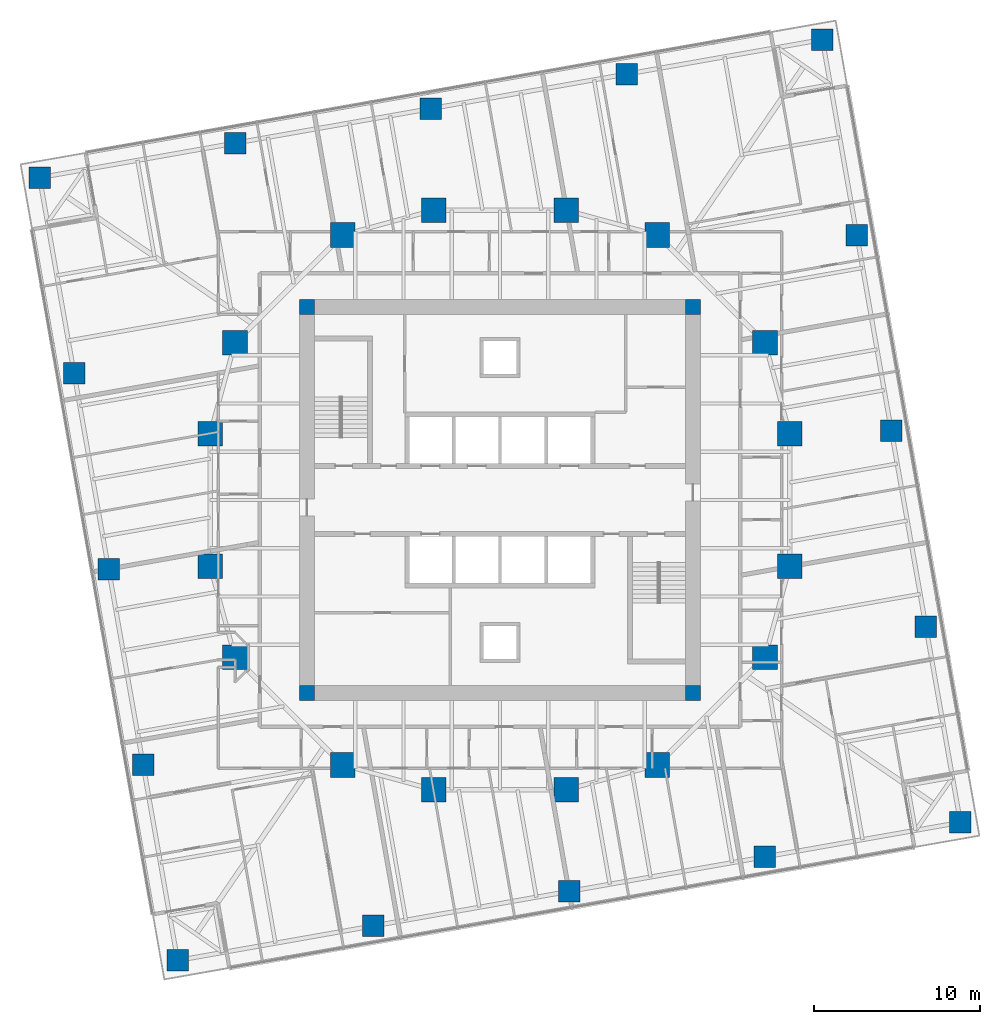
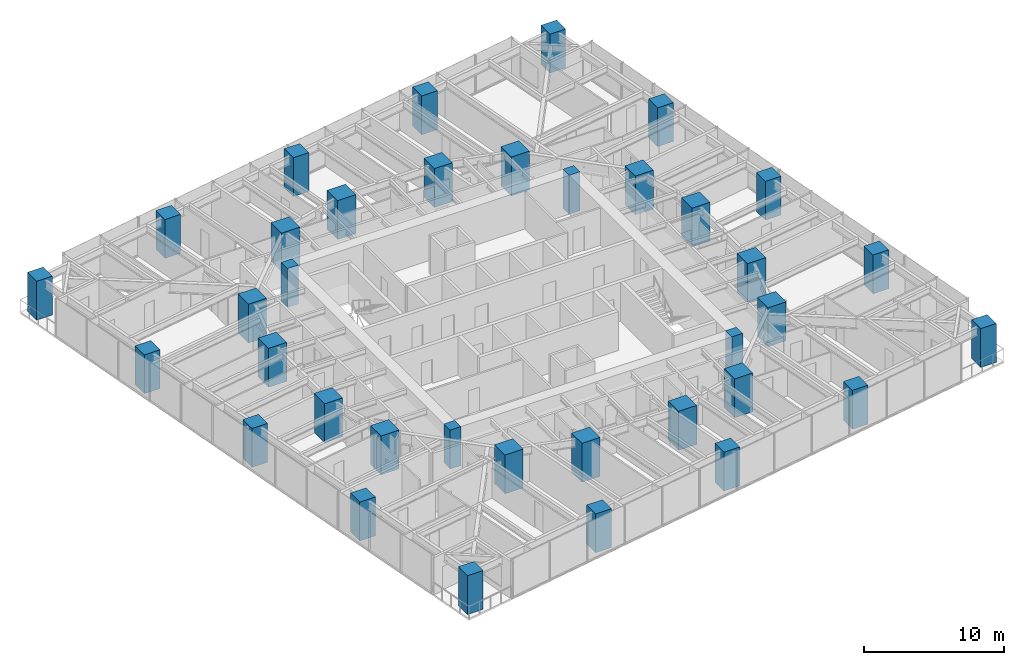
# One storey, part 1 of 14: 36 columns.
"""IFC4 building model written with IfcOpenShell, lengths in metres."""

from ifc_helpers import new_model, si_unit, direction, frame, origin, origin_2d, place, context, subcontext, project, spatial, rectangle, extrude, material, material_profile, profile_set, type_object, element, save


model = new_model("IFC4")

# Units and contexts
model_context = context("Model", 3, precision=1e-05, world=origin(), true_north=direction((0.0, 1.0)))
body_context = subcontext(model_context, "Body", "Model", "MODEL_VIEW")
ifc_project = project(units=[si_unit("LENGTHUNIT", "METRE"), si_unit("AREAUNIT", "SQUARE_METRE"), si_unit("VOLUMEUNIT", "CUBIC_METRE"), si_unit("PLANEANGLEUNIT", "RADIAN"), si_unit("MASSUNIT", "GRAM", prefix="KILO")], contexts=[model_context])

# Site, building, storey
site_placement = place(None, origin())
site = spatial("IfcSite", under=ifc_project, at=site_placement, CompositionType="ELEMENT")
building_placement = place(site_placement, origin())
building = spatial("IfcBuilding", under=site, at=building_placement, Name="Torsade Residences", CompositionType="ELEMENT")
storey_placement = place(building_placement, frame((0.0, 0.0, 89.60009765625)))
storey = spatial("IfcBuildingStorey", under=building, at=storey_placement, Name="L24", CompositionType="ELEMENT", Elevation=89.60009765625)

# Columns
ifc_material_1 = material(Name="Concrete 80 MPa", Category="concrete")
ifc_material_profile_1 = material_profile(ifc_material_1, rectangle(XDim=0.89990234375, YDim=0.89990234375, at=origin_2d()), Name="RC 900x900")
ifc_profile_set_1 = profile_set([ifc_material_profile_1], Name="Concrete 80 MPa")
column_type_1 = type_object("IfcColumnType", Name="CORE CORNER COLUMN RC 900x900", PredefinedType="COLUMN", material=ifc_profile_set_1)
for number, where, z_axis, x_axis, name in (
    (1, (28.35009765625, 18.35009765625, 0.0), (0.0, 0.0, 1.0), (1.0, 0.0, 0.0), "Core corner column CC1 L24"),
    (2, (51.64990234375, 18.35009765625, 0.0), (0.0, 0.0, 1.0), (1.0, 0.0, 0.0), "Core corner column CC2 L24"),
    (3, (51.64990234375, 41.64990234375, 0.0), (0.0, 0.0, 1.0), (1.0, 0.0, 0.0), "Core corner column CC3 L24"),
    (4, (28.35009765625, 41.64990234375, 0.0), (0.0, 0.0, 1.0), (1.0, 0.0, 0.0), "Core corner column CC4 L24"),
):
    element("IfcColumn", number, at=place(storey_placement, frame(where, z_axis=z_axis, x_axis=x_axis)), inside=storey, type_object=column_type_1, Name=name, PredefinedType="COLUMN", context=body_context, shape_type="SweptSolid", body=[
        extrude(rectangle(XDim=0.89990234375, YDim=0.89990234375, at=origin_2d()), origin(), (0.0, 0.0, 1.0), 3.39990234375),
    ])
ifc_material_2 = material(Name="Concrete 80 MPa", Category="concrete")
ifc_material_profile_2 = material_profile(ifc_material_2, rectangle(XDim=1.5, YDim=1.5, at=origin_2d()), Name="RC 1500x1500")
ifc_profile_set_2 = profile_set([ifc_material_profile_2], Name="Concrete 80 MPa")
column_type_2 = type_object("IfcColumnType", Name="INNER RING COLUMN RC 1500x1500", PredefinedType="COLUMN", material=ifc_profile_set_2)
for number, where, z_axis, x_axis, name in (
    (5, (57.5, 26.0, 0.0), (0.0, 0.0, 1.0), (1.0, 0.0, 0.0), "Inner ring column IR01 L24"),
    (6, (57.5, 34.0, 0.0), (0.0, 0.0, 1.0), (1.0, 0.0, 0.0), "Inner ring column IR02 L24"),
    (7, (56.0, 39.5, 0.0), (0.0, 0.0, 1.0), (1.0, 0.0, 0.0), "Inner ring column IR03 L24"),
    (8, (49.5, 46.0, 0.0), (0.0, 0.0, 1.0), (1.0, 0.0, 0.0), "Inner ring column IR04 L24"),
    (9, (44.0, 47.5, 0.0), (0.0, 0.0, 1.0), (1.0, 0.0, 0.0), "Inner ring column IR05 L24"),
    (10, (36.0, 47.5, 0.0), (0.0, 0.0, 1.0), (1.0, 0.0, 0.0), "Inner ring column IR06 L24"),
    (11, (30.5, 46.0, 0.0), (0.0, 0.0, 1.0), (1.0, 0.0, 0.0), "Inner ring column IR07 L24"),
    (12, (24.0, 39.5, 0.0), (0.0, 0.0, 1.0), (1.0, 0.0, 0.0), "Inner ring column IR08 L24"),
    (13, (22.5, 34.0, 0.0), (0.0, 0.0, 1.0), (1.0, 0.0, 0.0), "Inner ring column IR09 L24"),
    (14, (22.5, 26.0, 0.0), (0.0, 0.0, 1.0), (1.0, 0.0, 0.0), "Inner ring column IR10 L24"),
    (15, (24.0, 20.5, 0.0), (0.0, 0.0, 1.0), (1.0, 0.0, 0.0), "Inner ring column IR11 L24"),
    (16, (30.5, 14.0, 0.0), (0.0, 0.0, 1.0), (1.0, 0.0, 0.0), "Inner ring column IR12 L24"),
    (17, (36.0, 12.5, 0.0), (0.0, 0.0, 1.0), (1.0, 0.0, 0.0), "Inner ring column IR13 L24"),
    (18, (44.0, 12.5, 0.0), (0.0, 0.0, 1.0), (1.0, 0.0, 0.0), "Inner ring column IR14 L24"),
    (19, (49.5, 14.0, 0.0), (0.0, 0.0, 1.0), (1.0, 0.0, 0.0), "Inner ring column IR15 L24"),
    (20, (56.0, 20.5, 0.0), (0.0, 0.0, 1.0), (1.0, 0.0, 0.0), "Inner ring column IR16 L24"),
):
    element("IfcColumn", number, at=place(storey_placement, frame(where, z_axis=z_axis, x_axis=x_axis)), inside=storey, type_object=column_type_2, Name=name, PredefinedType="COLUMN", context=body_context, shape_type="SweptSolid", body=[
        extrude(rectangle(XDim=1.5, YDim=1.5, at=origin_2d()), origin(), (0.0, 0.0, 1.0), 3.39990234375),
    ])
ifc_material_3 = material(Name="Concrete 80 MPa", Category="concrete")
ifc_material_profile_3 = material_profile(ifc_material_3, rectangle(XDim=1.300048828125, YDim=1.300048828125, at=origin_2d()), Name="RC 1300x1300")
ifc_profile_set_3 = profile_set([ifc_material_profile_3], Name="Concrete 80 MPa")
column_type_3 = type_object("IfcColumnType", Name="TOWER COLUMN RC 1300x1300", PredefinedType="COLUMN", material=ifc_profile_set_3)
for number, where, z_axis, x_axis, name in (
    (21, (20.5322265625, 2.197021484375, 0.0), (0.0, 0.0, 1.0), (1.0, 0.0, 0.0), "Column TC3-01 L24"),
    (22, (32.349853515625, 4.28076171875, 0.0), (0.0, 0.0, 1.0), (1.0, 0.0, 0.0), "Column TC3-02 L24"),
    (23, (44.16748046875, 6.364501953125, 0.0), (0.0, 0.0, 1.0), (1.0, 0.0, 0.0), "Column TC3-03 L24"),
    (24, (55.9853515625, 8.448486328125, 0.0), (0.0, 0.0, 1.0), (1.0, 0.0, 0.0), "Column TC3-04 L24"),
    (25, (67.802978515625, 10.5322265625, 0.0), (0.0, 0.0, 1.0), (1.0, 0.0, 0.0), "Column TC3-05 L24"),
    (26, (65.71923828125, 22.349853515625, 0.0), (0.0, 0.0, 1.0), (1.0, 0.0, 0.0), "Column TC3-06 L24"),
    (27, (63.635498046875, 34.16748046875, 0.0), (0.0, 0.0, 1.0), (1.0, 0.0, 0.0), "Column TC3-07 L24"),
    (28, (61.551513671875, 45.9853515625, 0.0), (0.0, 0.0, 1.0), (1.0, 0.0, 0.0), "Column TC3-08 L24"),
    (29, (59.4677734375, 57.802978515625, 0.0), (0.0, 0.0, 1.0), (1.0, 0.0, 0.0), "Column TC3-09 L24"),
    (30, (47.650146484375, 55.71923828125, 0.0), (0.0, 0.0, 1.0), (1.0, 0.0, 0.0), "Column TC3-10 L24"),
    (31, (35.83251953125, 53.635498046875, 0.0), (0.0, 0.0, 1.0), (1.0, 0.0, 0.0), "Column TC3-11 L24"),
    (32, (24.0146484375, 51.551513671875, 0.0), (0.0, 0.0, 1.0), (1.0, 0.0, 0.0), "Column TC3-12 L24"),
    (33, (12.197021484375, 49.4677734375, 0.0), (0.0, 0.0, 1.0), (1.0, 0.0, 0.0), "Column TC3-13 L24"),
    (34, (14.28076171875, 37.650146484375, 0.0), (0.0, 0.0, 1.0), (1.0, 0.0, 0.0), "Column TC3-14 L24"),
    (35, (16.364501953125, 25.83251953125, 0.0), (0.0, 0.0, 1.0), (1.0, 0.0, 0.0), "Column TC3-15 L24"),
    (36, (18.448486328125, 14.0146484375, 0.0), (0.0, 0.0, 1.0), (1.0, 0.0, 0.0), "Column TC3-16 L24"),
):
    element("IfcColumn", number, at=place(storey_placement, frame(where, z_axis=z_axis, x_axis=x_axis)), inside=storey, type_object=column_type_3, Name=name, PredefinedType="COLUMN", context=body_context, shape_type="SweptSolid", body=[
        extrude(rectangle(XDim=1.300048828125, YDim=1.300048828125, at=origin_2d()), origin(), (0.0, 0.0, 1.0), 3.39990234375),
    ])

save(model, "model.ifc")
